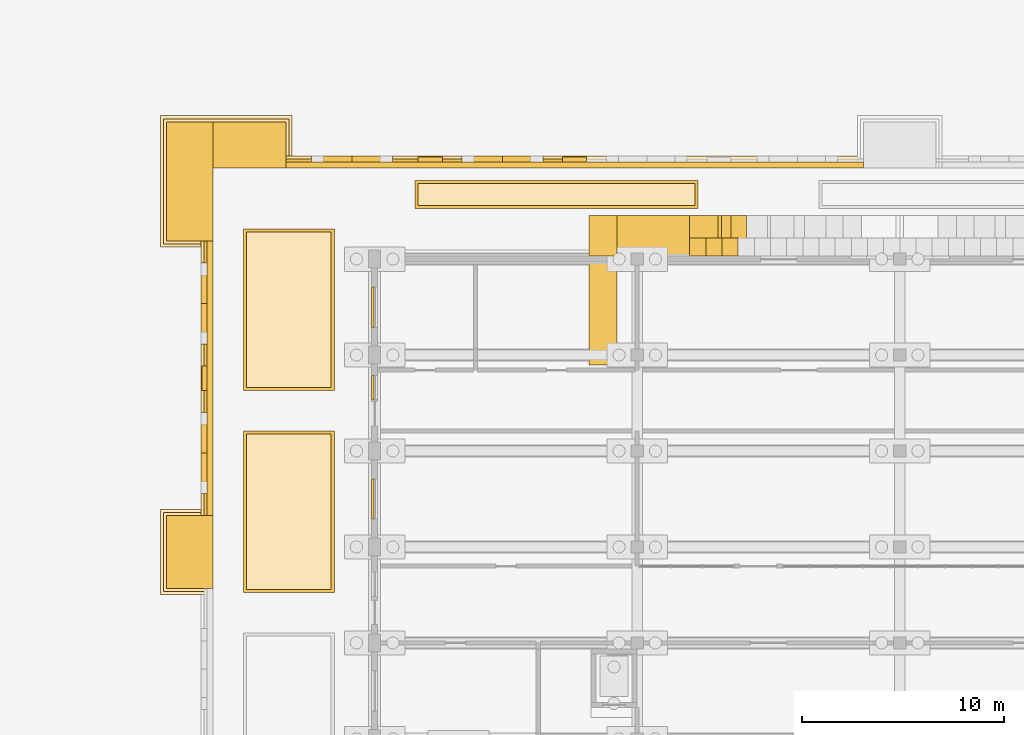
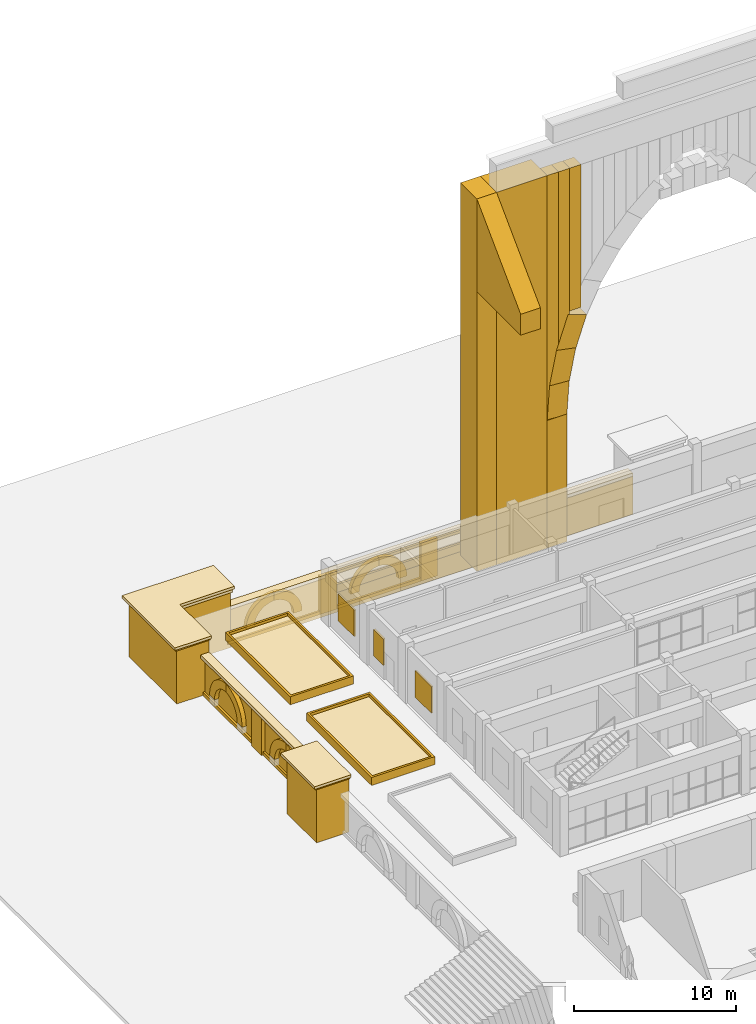
# One storey, part 112 of 161: 42 coverings, 3 shading devices.
"""IFC4 building model written with IfcOpenShell, lengths in metres."""

from ifc_helpers import new_model, si_unit, direction, frame, frame_2d, origin, origin_2d, place, context, subcontext, project, spatial, polyline, rectangle, outline, extrude, material, layer, layer_set, type_object, element, save


model = new_model("IFC4")

# Units and contexts
model_context = context("Model", 3, precision=1e-05, world=origin(), true_north=direction((0.0, 1.0)))
body_context = subcontext(model_context, "Body", "Model", "MODEL_VIEW")
ifc_project = project(units=[si_unit("LENGTHUNIT", "METRE"), si_unit("AREAUNIT", "SQUARE_METRE"), si_unit("VOLUMEUNIT", "CUBIC_METRE"), si_unit("PLANEANGLEUNIT", "RADIAN"), si_unit("MASSUNIT", "GRAM", prefix="KILO")], contexts=[model_context])

# Site, building, storey
site_placement = place(None, origin())
site = spatial("IfcSite", under=ifc_project, at=site_placement, CompositionType="ELEMENT")
building_placement = place(site_placement, origin())
building = spatial("IfcBuilding", under=site, at=building_placement, Name="Elbe Cascade School", CompositionType="ELEMENT")
storey_placement = place(building_placement, origin())
storey = spatial("IfcBuildingStorey", under=building, at=storey_placement, Name="L00", CompositionType="ELEMENT", Elevation=0.0)

# Coverings
ifc_material_1 = material(Name="Sandstone - red", Category="masonry")
ifc_layer_1 = layer(ifc_material_1, 0.199951171875)
ifc_layer_set_1 = layer_set([ifc_layer_1], Name="Sandstone - red")
covering_type_1 = type_object("IfcCoveringType", Name="Bastion coping course 200", PredefinedType="CLADDING", material=ifc_layer_set_1)
covering_1_placement = place(storey_placement, frame((0.0, 0.0, 1.0)))
element("IfcCovering", 1, at=covering_1_placement, inside=storey, type_object=covering_type_1, Name="Bastion coping course 1 NW", PredefinedType="CLADDING", context=body_context, shape_type="SweptSolid", body=[
    extrude(outline(polyline([(0.0, 70.25), (0.0, 74.0), (3.75, 74.0), (3.75, 76.449951171875), (-2.449951171875, 76.449951171875), (-2.449951171875, 70.25), (0.0, 70.25)])), origin(), (0.0, 0.0, 1.0), 0.199951171875),
])
covering_2_placement = place(storey_placement, frame((0.0, 0.0, 1.199951171875)))
element("IfcCovering", 2, at=covering_2_placement, inside=storey, type_object=covering_type_1, Name="Bastion coping course 2 NW", PredefinedType="CLADDING", context=body_context, shape_type="SweptSolid", body=[
    extrude(outline(polyline([(0.0, 70.10009765625), (0.0, 74.0), (3.89990234375, 74.0), (3.89990234375, 76.60009765625), (-2.60009765625, 76.60009765625), (-2.60009765625, 70.10009765625), (0.0, 70.10009765625)])), origin(), (0.0, 0.0, 1.0), 0.199951171875),
])
covering_3_placement = place(storey_placement, frame((0.0, 0.0, 1.0)))
element("IfcCovering", 3, at=covering_3_placement, inside=storey, type_object=covering_type_1, Name="Bastion coping course 1 W2", PredefinedType="CLADDING", context=body_context, shape_type="SweptSolid", body=[
    extrude(outline(polyline([(0.0, 53.050048828125), (0.0, 56.949951171875), (-2.449951171875, 56.949951171875), (-2.449951171875, 53.050048828125), (0.0, 53.050048828125)])), origin(), (0.0, 0.0, 1.0), 0.199951171875),
])
covering_4_placement = place(storey_placement, frame((0.0, 0.0, 1.199951171875)))
element("IfcCovering", 4, at=covering_4_placement, inside=storey, type_object=covering_type_1, Name="Bastion coping course 2 W2", PredefinedType="CLADDING", context=body_context, shape_type="SweptSolid", body=[
    extrude(outline(polyline([(0.0, 52.89990234375), (0.0, 57.10009765625), (-2.60009765625, 57.10009765625), (-2.60009765625, 52.89990234375), (0.0, 52.89990234375)])), origin(), (0.0, 0.0, 1.0), 0.199951171875),
])

# Shading devices
ifc_material_2 = material(Name="Precast concrete - pierced screen C30/37", Category="concrete")
shading_device_type_1 = type_object("IfcShadingDeviceType", Name="Hall jali screen 1200x2000 base window", PredefinedType="USERDEFINED", material=ifc_material_2)
shading_device_placement = place(storey_placement, frame((7.909912109375, 63.14990234375, 1.0), z_axis=(0.0, 0.0, 1.0), x_axis=(1.0, 0.0, 0.0)))
element("IfcShadingDevice", 5, at=shading_device_placement, inside=storey, type_object=shading_device_type_1, Name="Jali screen W5", ObjectType="JALI", PredefinedType="USERDEFINED", context=body_context, shape_type="SweptSolid", body=[
    extrude(rectangle(XDim=0.1201171875, YDim=1.199951171875, at=origin_2d()), origin(), (0.0, 0.0, 1.0), 2.0),
])
ifc_material_3 = material(Name="Precast concrete - pierced screen C30/37", Category="concrete")
shading_device_type_2 = type_object("IfcShadingDeviceType", Name="Hall jali screen 2000x2000 base window", PredefinedType="USERDEFINED", material=ifc_material_3)
for number, where, z_axis, x_axis, name in (
    (6, (7.909912109375, 57.625, 1.0), (0.0, 0.0, 1.0), (1.0, 0.0, 0.0), "Jali screen W4"),
    (7, (7.909912109375, 67.125, 1.0), (0.0, 0.0, 1.0), (1.0, 0.0, 0.0), "Jali screen W6"),
):
    element("IfcShadingDevice", number, at=place(storey_placement, frame(where, z_axis=z_axis, x_axis=x_axis)), inside=storey, type_object=shading_device_type_2, Name=name, ObjectType="JALI", PredefinedType="USERDEFINED", context=body_context, shape_type="SweptSolid", body=[
        extrude(rectangle(XDim=0.1201171875, YDim=2.0, at=origin_2d()), origin(), (0.0, 0.0, 1.0), 2.0),
    ])

# Coverings
ifc_material_4 = material(Name="Sandstone - red, precast facing", Category="masonry")
covering_type_2 = type_object("IfcCoveringType", Name="Hall pishtaq arch band 1400 x 2000", PredefinedType="CLADDING", material=ifc_material_4)
covering_5_placement = place(storey_placement, frame((24.300048828125, 70.64990234375, 9.60009765625), z_axis=(0.065434839137, 0.0, 0.997856844356), x_axis=(0.0, 1.0, 0.0)))
element("IfcCovering", 8, at=covering_5_placement, inside=storey, type_object=covering_type_2, Name="Hall pishtaq arch band 1400 x 2000 CV85", PredefinedType="CLADDING", context=body_context, shape_type="SweptSolid", body=[
    extrude(rectangle(XDim=2.0, YDim=1.39990234375, at=origin_2d()), origin(), (0.0, 0.0, 1.0), 2.49609375),
])
covering_6_placement = place(storey_placement, frame((24.4501953125, 70.64990234375, 11.99169921875), z_axis=(0.195120333973, 0.0, 0.980779310176), x_axis=(0.0, 1.0, 0.0)))
element("IfcCovering", 9, at=covering_6_placement, inside=storey, type_object=covering_type_2, Name="Hall pishtaq arch band 1400 x 2000 CV85", PredefinedType="CLADDING", context=body_context, shape_type="SweptSolid", body=[
    extrude(rectangle(XDim=2.0, YDim=1.39990234375, at=origin_2d()), origin(), (0.0, 0.0, 1.0), 2.546142578125),
])
covering_7_placement = place(storey_placement, frame((24.921142578125, 70.64990234375, 14.392578125), z_axis=(0.321429937708, 0.0, 0.946933363624), x_axis=(0.0, 1.0, 0.0)))
element("IfcCovering", 10, at=covering_7_placement, inside=storey, type_object=covering_type_2, Name="Hall pishtaq arch band 1400 x 2000 CV85", PredefinedType="CLADDING", context=body_context, shape_type="SweptSolid", body=[
    extrude(rectangle(XDim=2.0, YDim=1.39990234375, at=origin_2d()), origin(), (0.0, 0.0, 1.0), 2.5458984375),
])
ifc_material_5 = material(Name="Sandstone - red, precast facing", Category="masonry")
ifc_layer_2 = layer(ifc_material_5, 1.39990234375)
ifc_layer_set_2 = layer_set([ifc_layer_2], Name="Sandstone - red, precast facing")
covering_type_3 = type_object("IfcCoveringType", Name="Hall pishtaq buttress 1400", PredefinedType="CLADDING", material=ifc_layer_set_2)
covering_8_placement = place(storey_placement, frame((19.300048828125, 69.64990234375, 0.0), z_axis=(0.0, 0.0, 1.0), x_axis=(0.0, 1.0, 0.0)))
element("IfcCovering", 11, at=covering_8_placement, inside=storey, type_object=covering_type_3, Name="Hall pishtaq buttress 1400 CV84", PredefinedType="CLADDING", context=body_context, shape_type="SweptSolid", body=[
    extrude(rectangle(XDim=2.0, YDim=1.39990234375, at=frame_2d((1.0, 0.0))), origin(), (0.0, 0.0, 1.0), 28.0),
])
covering_9_placement = place(storey_placement, frame((19.300048828125, 69.64990234375, 21.0283203125), z_axis=(0.0, 0.0, 1.0), x_axis=(0.0, -1.0, 0.0)))
element("IfcCovering", 12, at=covering_9_placement, inside=storey, type_object=covering_type_3, Name="Hall pishtaq buttress 1400 CV84", PredefinedType="CLADDING", context=body_context, shape_type="SweptSolid", body=[
    extrude(outline(polyline([(0.0, 0.0), (5.39990234375, 0.0), (5.39990234375, 1.57177734375), (0.0, 6.9716796875), (0.0, 0.0)])), frame((0.0, 0.699951171875, 0.0), z_axis=(0.0, -1.0, 0.0), x_axis=(1.0, 0.0, 0.0)), (0.0, 0.0, 1.0), 1.39990234375),
])
ifc_material_6 = material(Name="Sandstone - red, precast facing", Category="masonry")
ifc_layer_3 = layer(ifc_material_6, 0.89990234375)
ifc_layer_set_3 = layer_set([ifc_layer_3], Name="Sandstone - red, precast facing")
covering_type_4 = type_object("IfcCoveringType", Name="Hall pishtaq cladding 900", PredefinedType="CLADDING", material=ifc_layer_set_3)
covering_10_placement = place(storey_placement, frame((23.60009765625, 70.10009765625, 9.550048828125), z_axis=(0.0, 0.0, 1.0), x_axis=(1.0, 0.0, 0.0)))
element("IfcCovering", 13, at=covering_10_placement, inside=storey, type_object=covering_type_4, Name="Hall pishtaq cladding 900 CV80", PredefinedType="CLADDING", context=body_context, shape_type="SweptSolid", body=[
    extrude(rectangle(XDim=0.7998046875, YDim=0.89990234375, at=frame_2d((0.39990234375, 0.0))), origin(), (0.0, 0.0, 1.0), 18.449951171875),
])
covering_11_placement = place(storey_placement, frame((24.39990234375, 70.10009765625, 15.063720703125), z_axis=(0.0, 0.0, 1.0), x_axis=(1.0, 0.0, 0.0)))
element("IfcCovering", 14, at=covering_11_placement, inside=storey, type_object=covering_type_4, Name="Hall pishtaq cladding 900 CV80", PredefinedType="CLADDING", context=body_context, shape_type="SweptSolid", body=[
    extrude(rectangle(XDim=0.800048828125, YDim=0.89990234375, at=frame_2d((0.39990234375, 0.0))), origin(), (0.0, 0.0, 1.0), 12.936279296875),
])
covering_12_placement = place(storey_placement, frame((25.199951171875, 70.10009765625, 17.264892578125), z_axis=(0.0, 0.0, 1.0), x_axis=(1.0, 0.0, 0.0)))
element("IfcCovering", 15, at=covering_12_placement, inside=storey, type_object=covering_type_4, Name="Hall pishtaq cladding 900 CV80", PredefinedType="CLADDING", context=body_context, shape_type="SweptSolid", body=[
    extrude(rectangle(XDim=0.800048828125, YDim=0.89990234375, at=frame_2d((0.39990234375, 0.0))), origin(), (0.0, 0.0, 1.0), 10.735107421875),
])
ifc_material_7 = material(Name="Sandstone - red, precast facing", Category="masonry")
ifc_layer_4 = layer(ifc_material_7, 2.0)
ifc_layer_set_4 = layer_set([ifc_layer_4], Name="Sandstone - red, precast facing")
covering_type_5 = type_object("IfcCoveringType", Name="Hall pishtaq pier 2000", PredefinedType="CLADDING", material=ifc_layer_set_4)
covering_13_placement = place(storey_placement, frame((20.0, 70.64990234375, 0.0), z_axis=(0.0, 0.0, 1.0), x_axis=(1.0, 0.0, 0.0)))
element("IfcCovering", 16, at=covering_13_placement, inside=storey, type_object=covering_type_5, Name="Hall pishtaq pier 2000 CV83", PredefinedType="CLADDING", context=body_context, shape_type="SweptSolid", body=[
    extrude(rectangle(XDim=3.60009765625, YDim=2.0, at=frame_2d((1.800048828125, 0.0))), origin(), (0.0, 0.0, 1.0), 28.0),
])
covering_14_placement = place(storey_placement, frame((23.60009765625, 70.64990234375, 0.0), z_axis=(0.0, 0.0, 1.0), x_axis=(1.0, 0.0, 0.0)))
element("IfcCovering", 17, at=covering_14_placement, inside=storey, type_object=covering_type_5, Name="Hall pishtaq pier 2000 CV83", PredefinedType="CLADDING", context=body_context, shape_type="SweptSolid", body=[
    extrude(rectangle(XDim=1.39990234375, YDim=2.0, at=frame_2d((0.699951171875, 0.0))), origin(), (0.0, 0.0, 1.0), 9.60009765625),
])
ifc_material_8 = material(Name="Sandstone - red", Category="masonry")
ifc_layer_5 = layer(ifc_material_8, 0.14990234375)
ifc_layer_set_5 = layer_set([ifc_layer_5], Name="Sandstone - red")
covering_type_6 = type_object("IfcCoveringType", Name="Plinth base course 150x250", PredefinedType="CLADDING", material=ifc_layer_set_5)
covering_15_placement = place(storey_placement, frame((0.0, 0.0, -3.10009765625)))
element("IfcCovering", 18, at=covering_15_placement, inside=storey, type_object=covering_type_6, Name="Plinth base course west 0.4.1", PredefinedType="CLADDING", context=body_context, shape_type="SweptSolid", body=[
    extrude(outline(polyline([(-0.449951171875, 56.800048828125), (-0.300048828125, 56.800048828125), (-0.300048828125, 63.0), (-0.449951171875, 63.0), (-0.449951171875, 56.800048828125)])), origin(), (0.0, 0.0, 1.0), 0.25),
])
covering_16_placement = place(storey_placement, frame((0.0, 0.0, -3.10009765625)))
element("IfcCovering", 19, at=covering_16_placement, inside=storey, type_object=covering_type_6, Name="Plinth base course west 0.4.2", PredefinedType="CLADDING", context=body_context, shape_type="SweptSolid", body=[
    extrude(outline(polyline([(-0.449951171875, 64.199951171875), (-0.300048828125, 64.199951171875), (-0.300048828125, 70.39990234375), (-0.449951171875, 70.39990234375), (-0.449951171875, 64.199951171875)])), origin(), (0.0, 0.0, 1.0), 0.25),
])
covering_17_placement = place(storey_placement, frame((0.0, 0.0, -3.10009765625)))
element("IfcCovering", 20, at=covering_17_placement, inside=storey, type_object=covering_type_6, Name="Plinth base course north 0.1.1", PredefinedType="CLADDING", context=body_context, shape_type="SweptSolid", body=[
    extrude(outline(polyline([(3.60009765625, 74.300048828125), (10.14990234375, 74.300048828125), (10.14990234375, 74.449951171875), (3.60009765625, 74.449951171875), (3.60009765625, 74.300048828125)])), origin(), (0.0, 0.0, 1.0), 0.25),
])
covering_18_placement = place(storey_placement, frame((0.0, 0.0, -3.10009765625)))
element("IfcCovering", 21, at=covering_18_placement, inside=storey, type_object=covering_type_6, Name="Plinth base course north 0.1.2", PredefinedType="CLADDING", context=body_context, shape_type="SweptSolid", body=[
    extrude(outline(polyline([(11.35009765625, 74.300048828125), (17.300048828125, 74.300048828125), (17.300048828125, 74.449951171875), (11.35009765625, 74.449951171875), (11.35009765625, 74.300048828125)])), origin(), (0.0, 0.0, 1.0), 0.25),
])
ifc_material_9 = material(Name="Sandstone - red", Category="masonry")
ifc_layer_6 = layer(ifc_material_9, 2.300048828125)
ifc_layer_set_6 = layer_set([ifc_layer_6], Name="Sandstone - red")
covering_type_7 = type_object("IfcCoveringType", Name="Plinth bastion 3600x2300", PredefinedType="CLADDING", material=ifc_layer_set_6)
covering_19_placement = place(storey_placement, frame((0.0, 0.0, -3.10009765625)))
element("IfcCovering", 22, at=covering_19_placement, inside=storey, type_object=covering_type_7, Name="Plinth bastion NW 1", PredefinedType="CLADDING", context=body_context, shape_type="SweptSolid", body=[
    extrude(outline(polyline([(-2.300048828125, 70.39990234375), (0.0, 70.39990234375), (0.0, 76.300048828125), (-2.300048828125, 76.300048828125), (-2.300048828125, 70.39990234375)])), origin(), (0.0, 0.0, 1.0), 4.10009765625),
])
covering_20_placement = place(storey_placement, frame((0.0, 0.0, -3.10009765625)))
element("IfcCovering", 23, at=covering_20_placement, inside=storey, type_object=covering_type_7, Name="Plinth bastion NW 2", PredefinedType="CLADDING", context=body_context, shape_type="SweptSolid", body=[
    extrude(outline(polyline([(0.0, 74.0), (3.60009765625, 74.0), (3.60009765625, 76.300048828125), (0.0, 76.300048828125), (0.0, 74.0)])), origin(), (0.0, 0.0, 1.0), 4.10009765625),
])
covering_21_placement = place(storey_placement, frame((0.0, 0.0, -3.10009765625)))
element("IfcCovering", 24, at=covering_21_placement, inside=storey, type_object=covering_type_7, Name="Plinth bastion W2 1", PredefinedType="CLADDING", context=body_context, shape_type="SweptSolid", body=[
    extrude(outline(polyline([(-2.300048828125, 53.199951171875), (0.0, 53.199951171875), (0.0, 56.800048828125), (-2.300048828125, 56.800048828125), (-2.300048828125, 53.199951171875)])), origin(), (0.0, 0.0, 1.0), 4.10009765625),
])
ifc_material_10 = material(Name="Sandstone - red", Category="masonry")
ifc_layer_7 = layer(ifc_material_10, 0.25)
ifc_layer_set_7 = layer_set([ifc_layer_7], Name="Sandstone - red")
covering_type_8 = type_object("IfcCoveringType", Name="Plinth coping 600x250", PredefinedType="CLADDING", material=ifc_layer_set_7)
covering_22_placement = place(storey_placement, frame((0.0, 0.0, -0.25)))
element("IfcCovering", 25, at=covering_22_placement, inside=storey, type_object=covering_type_8, Name="Plinth coping west 4", PredefinedType="CLADDING", context=body_context, shape_type="SweptSolid", body=[
    extrude(outline(polyline([(-0.60009765625, 56.800048828125), (0.0, 56.800048828125), (0.0, 70.39990234375), (-0.60009765625, 70.39990234375), (-0.60009765625, 56.800048828125)])), origin(), (0.0, 0.0, 1.0), 0.25),
])
covering_23_placement = place(storey_placement, frame((0.0, 0.0, -0.25)))
element("IfcCovering", 26, at=covering_23_placement, inside=storey, type_object=covering_type_8, Name="Plinth coping north 1", PredefinedType="CLADDING", context=body_context, shape_type="SweptSolid", body=[
    extrude(outline(polyline([(3.60009765625, 74.0), (32.199951171875, 74.0), (32.199951171875, 74.60009765625), (3.60009765625, 74.60009765625), (3.60009765625, 74.0)])), origin(), (0.0, 0.0, 1.0), 0.25),
])
ifc_material_11 = material(Name="Sandstone - red", Category="masonry")
ifc_layer_8 = layer(ifc_material_11, 0.300048828125)
ifc_layer_set_8 = layer_set([ifc_layer_8], Name="Sandstone - red")
covering_type_9 = type_object("IfcCoveringType", Name="Plinth facing 300", PredefinedType="CLADDING", material=ifc_layer_set_8)
covering_24_placement = place(storey_placement, frame((0.0, 0.0, -3.10009765625)))
element("IfcCovering", 27, at=covering_24_placement, inside=storey, type_object=covering_type_9, Name="Plinth facing west 4", PredefinedType="CLADDING", context=body_context, shape_type="SweptSolid", body=[
    extrude(outline(polyline([(-0.300048828125, 56.800048828125), (0.0, 56.800048828125), (0.0, 70.39990234375), (-0.300048828125, 70.39990234375), (-0.300048828125, 56.800048828125)])), origin(), (0.0, 0.0, 1.0), 2.85009765625),
])
covering_25_placement = place(storey_placement, frame((0.0, 0.0, -3.10009765625)))
element("IfcCovering", 28, at=covering_25_placement, inside=storey, type_object=covering_type_9, Name="Plinth facing north 1", PredefinedType="CLADDING", context=body_context, shape_type="SweptSolid", body=[
    extrude(outline(polyline([(3.60009765625, 74.0), (32.199951171875, 74.0), (32.199951171875, 74.300048828125), (3.60009765625, 74.300048828125), (3.60009765625, 74.0)])), origin(), (0.0, 0.0, 1.0), 2.85009765625),
])
ifc_material_12 = material(Name="Sandstone - red", Category="masonry")
ifc_layer_9 = layer(ifc_material_12, 0.300048828125)
ifc_layer_set_9 = layer_set([ifc_layer_9], Name="Sandstone - red")
covering_type_10 = type_object("IfcCoveringType", Name="Plinth niche arch band 600x300", PredefinedType="CLADDING", material=ifc_layer_set_9)
covering_26_placement = place(storey_placement, frame((-0.60009765625, 61.89990234375, -2.35009765625), z_axis=(-1.0, 0.0, 0.0), x_axis=(0.0, -1.0, 0.0)))
element("IfcCovering", 29, at=covering_26_placement, inside=storey, type_object=covering_type_10, Name="Plinth niche arch band west 0.4.1a", PredefinedType="CLADDING", context=body_context, shape_type="SweptSolid", body=[
    extrude(outline(polyline([(0.0, 0.0), (0.599853515625, 0.0), (0.616943359375, 0.221923828125), (0.667724609375, 0.438720703125), (0.751220703125, 0.64501953125), (0.864990234375, 0.83642578125), (1.007080078125, 1.0078125), (1.173583984375, 1.15576171875), (1.360595703125, 1.2763671875), (1.56396484375, 1.366943359375), (1.77880859375, 1.42529296875), (2.0, 1.4501953125), (2.0, 2.05029296875), (1.684814453125, 2.01806640625), (1.37841796875, 1.9375), (1.088134765625, 1.81103515625), (0.82080078125, 1.64111328125), (0.582763671875, 1.43212890625), (0.379638671875, 1.189208984375), (0.216552734375, 0.91748046875), (0.09716796875, 0.624267578125), (0.0244140625, 0.31591796875), (0.0, 0.0)])), origin(), (0.0, 0.0, -1.0), 0.300048828125),
])
covering_27_placement = place(storey_placement, frame((-0.60009765625, 57.924560546875, -2.0341796875), z_axis=(-1.0, 0.0, 0.0), x_axis=(0.0, 0.229640615433, 0.973275494268)))
element("IfcCovering", 30, at=covering_27_placement, inside=storey, type_object=covering_type_10, Name="Plinth niche arch band west 0.4.1b", PredefinedType="CLADDING", context=body_context, shape_type="SweptSolid", body=[
    extrude(outline(polyline([(0.0, 0.0), (0.31681637027835047, 0.0), (0.6296088823787412, 0.04886067811575373), (0.9315267427864806, 0.14518832098545423), (1.2146004998268738, 0.2871006253983999), (1.4726067943887962, 0.47054739410121904), (1.699434396567878, 0.6919536620154754), (1.8891803432917578, 0.9454377254653902), (2.037954729394572, 1.2251445961231031), (2.1416433912969475, 1.5242688213108815), (1.5575830483008861, 1.66207561641209), (1.4825516767193998, 1.4525140307106628), (1.3764806454459984, 1.2570489300335477), (1.2416232623821883, 1.0799146970257483), (1.0812393643827247, 0.9253590720062276), (0.899007955873922, 0.7972800499997257), (0.6996279279093016, 0.6985824547516934), (0.4872108101606949, 0.6318080070394001), (0.26725112189532263, 0.5979178949791348), (0.04458659872137888, 0.5982791165847868), (-0.17533094702333402, 0.6326087149319284), (-0.3131377421245425, 0.04854837193586718), (0.0, 0.0)])), origin(), (0.0, 0.0, -1.0), 0.300048828125),
])
covering_28_placement = place(storey_placement, frame((-0.60009765625, 69.300048828125, -2.35009765625), z_axis=(-1.0, 0.0, 0.0), x_axis=(0.0, -1.0, 0.0)))
element("IfcCovering", 31, at=covering_28_placement, inside=storey, type_object=covering_type_10, Name="Plinth niche arch band west 0.4.2a", PredefinedType="CLADDING", context=body_context, shape_type="SweptSolid", body=[
    extrude(outline(polyline([(0.0, 0.0), (0.60009765625, 0.0), (0.6171875, 0.221923828125), (0.66796875, 0.438720703125), (0.75146484375, 0.64501953125), (0.865234375, 0.83642578125), (1.007080078125, 1.0078125), (1.173583984375, 1.15576171875), (1.36083984375, 1.2763671875), (1.56396484375, 1.366943359375), (1.77880859375, 1.42529296875), (2.0, 1.4501953125), (2.0, 2.05029296875), (1.68505859375, 2.01806640625), (1.378662109375, 1.9375), (1.088134765625, 1.81103515625), (0.82080078125, 1.64111328125), (0.582763671875, 1.43212890625), (0.3798828125, 1.189208984375), (0.216796875, 0.91748046875), (0.097412109375, 0.624267578125), (0.024658203125, 0.31591796875), (0.0, 0.0)])), origin(), (0.0, 0.0, -1.0), 0.300048828125),
])
covering_29_placement = place(storey_placement, frame((-0.60009765625, 65.324462890625, -2.0341796875), z_axis=(-1.0, 0.0, 0.0), x_axis=(0.0, 0.229640615433, 0.973275494268)))
element("IfcCovering", 32, at=covering_29_placement, inside=storey, type_object=covering_type_10, Name="Plinth niche arch band west 0.4.2b", PredefinedType="CLADDING", context=body_context, shape_type="SweptSolid", body=[
    extrude(outline(polyline([(0.0, 0.0), (0.31681637027835047, 0.0), (0.6296088823787412, 0.04886067811575373), (0.9315267427864806, 0.14518832098545423), (1.2146004998268738, 0.2871006253983999), (1.4726628589921735, 0.4707850101886869), (1.699434396567878, 0.6919536620154754), (1.8891803432917578, 0.9454377254653902), (2.037954729394572, 1.2251445961231031), (2.1416994559003246, 1.5245064373983495), (1.5576391129042635, 1.662313232499558), (1.4826077413227772, 1.4527516467981305), (1.3764806454459984, 1.2570489300335477), (1.2416232623821883, 1.0799146970257483), (1.081295428986102, 0.9255966880936953), (0.8990640204772993, 0.7975176660871937), (0.6996839925126788, 0.6988200708391613), (0.4872108101606949, 0.6318080070394001), (0.2673071864986999, 0.5981555110666027), (0.04458659872137888, 0.5982791165847868), (-0.17533094702333402, 0.6326087149319284), (-0.3130816775211652, 0.04878598802333507), (0.0, 0.0)])), origin(), (0.0, 0.0, -1.0), 0.300048828125),
])
covering_30_placement = place(storey_placement, frame((8.875, 74.60009765625, -2.35009765625), z_axis=(0.0, 1.0, 0.0), x_axis=(-1.0, 0.0, 0.0)))
element("IfcCovering", 33, at=covering_30_placement, inside=storey, type_object=covering_type_10, Name="Plinth niche arch band north 0.1.1a", PredefinedType="CLADDING", context=body_context, shape_type="SweptSolid", body=[
    extrude(outline(polyline([(0.0, 0.0), (0.60009765625, 0.0), (0.6171875, 0.221923828125), (0.66796875, 0.438720703125), (0.751220703125, 0.64501953125), (0.865234375, 0.83642578125), (1.007080078125, 1.0078125), (1.173583984375, 1.15576171875), (1.360595703125, 1.2763671875), (1.56396484375, 1.366943359375), (1.77880859375, 1.42529296875), (2.0, 1.4501953125), (2.0, 2.05029296875), (1.684814453125, 2.01806640625), (1.37841796875, 1.9375), (1.088134765625, 1.81103515625), (0.82080078125, 1.64111328125), (0.582763671875, 1.43212890625), (0.3798828125, 1.189208984375), (0.216796875, 0.91748046875), (0.097412109375, 0.624267578125), (0.0244140625, 0.31591796875), (0.0, 0.0)])), origin(), (0.0, 0.0, -1.0), 0.300048828125),
])
covering_31_placement = place(storey_placement, frame((4.8994140625, 74.60009765625, -2.0341796875), z_axis=(0.0, 1.0, 0.0), x_axis=(0.230370389833, 0.0, 0.973103017922)))
element("IfcCovering", 34, at=covering_31_placement, inside=storey, type_object=covering_type_10, Name="Plinth niche arch band north 0.1.1b", PredefinedType="CLADDING", context=body_context, shape_type="SweptSolid", body=[
    extrude(outline(polyline([(0.0, 0.0), (0.31687252397341076, 0.0), (0.6297015877312577, 0.04862610780633542), (0.9316915973394285, 0.14472732169500946), (1.2148154490930958, 0.2861897411309222), (1.473015476785429, 0.46968055870342257), (1.6999528003548228, 0.6906790971069348), (1.8898887761347143, 0.9440208027650488), (2.038872866748509, 1.2236160319757423), (2.1428420492777027, 1.522899993079024), (1.558885208933074, 1.6611447240869763), (1.4836967125911875, 1.4516394617641843), (1.37742289317322, 1.2560163825158634), (1.2424327187641548, 1.0789833260459185), (1.0819892105939604, 0.9247855869954477), (0.8996618095377079, 0.7968432525266855), (0.7002078263653932, 0.6982951959470896), (0.4876844528052212, 0.6314424801900893), (0.2677556556673356, 0.5979548948134422), (0.04509146597014914, 0.5984830877928479), (-0.17480027489389646, 0.6329775880622152), (-0.3130450059018489, 0.0490207477175865), (0.0, 0.0)])), origin(), (0.0, 0.0, -1.0), 0.300048828125),
])
covering_32_placement = place(storey_placement, frame((16.324951171875, 74.60009765625, -2.35009765625), z_axis=(0.0, 1.0, 0.0), x_axis=(-1.0, 0.0, 0.0)))
element("IfcCovering", 35, at=covering_32_placement, inside=storey, type_object=covering_type_10, Name="Plinth niche arch band north 0.1.2a", PredefinedType="CLADDING", context=body_context, shape_type="SweptSolid", body=[
    extrude(outline(polyline([(0.0, 0.0), (0.599853515625, 0.0), (0.616943359375, 0.221923828125), (0.66796875, 0.438720703125), (0.751220703125, 0.64501953125), (0.865234375, 0.83642578125), (1.007080078125, 1.0078125), (1.173583984375, 1.15576171875), (1.360595703125, 1.2763671875), (1.56396484375, 1.366943359375), (1.77880859375, 1.42529296875), (2.0, 1.4501953125), (2.0, 2.05029296875), (1.684814453125, 2.01806640625), (1.37841796875, 1.9375), (1.088134765625, 1.81103515625), (0.82080078125, 1.64111328125), (0.582763671875, 1.43212890625), (0.379638671875, 1.189208984375), (0.216552734375, 0.91748046875), (0.09716796875, 0.624267578125), (0.0244140625, 0.31591796875), (0.0, 0.0)])), origin(), (0.0, 0.0, -1.0), 0.300048828125),
])
covering_33_placement = place(storey_placement, frame((12.349609375, 74.60009765625, -2.0341796875), z_axis=(0.0, 1.0, 0.0), x_axis=(0.229640615433, 0.0, 0.973275494268)))
element("IfcCovering", 36, at=covering_33_placement, inside=storey, type_object=covering_type_10, Name="Plinth niche arch band north 0.1.2b", PredefinedType="CLADDING", context=body_context, shape_type="SweptSolid", body=[
    extrude(outline(polyline([(0.0, 0.0), (0.31681637027835047, 0.0), (0.6296088823787412, 0.04886067811575373), (0.9315267427864806, 0.14518832098545423), (1.2145444352234966, 0.28686300931093206), (1.4726067943887962, 0.47054739410121904), (1.6993783319645008, 0.6917160459280074), (1.8891803432917578, 0.9454377254653902), (2.037954729394572, 1.2251445961231031), (2.1416433912969475, 1.5242688213108815), (1.5575830483008861, 1.66207561641209), (1.4825516767193998, 1.4525140307106628), (1.3764245808426212, 1.2568113139460797), (1.2416232623821883, 1.0799146970257483), (1.0812393643827247, 0.9253590720062276), (0.899007955873922, 0.7972800499997257), (0.6996279279093016, 0.6985824547516934), (0.4872108101606949, 0.6318080070394001), (0.26725112189532263, 0.5979178949791348), (0.04458659872137888, 0.5982791165847868), (-0.17533094702333402, 0.6326087149319284), (-0.3131377421245425, 0.04854837193586718), (0.0, 0.0)])), origin(), (0.0, 0.0, -1.0), 0.300048828125),
])
ifc_material_13 = material(Name="Sandstone - red", Category="masonry")
ifc_layer_10 = layer(ifc_material_13, 0.25)
ifc_layer_set_10 = layer_set([ifc_layer_10], Name="Sandstone - red")
covering_type_11 = type_object("IfcCoveringType", Name="Plinth pilaster 1200x250", PredefinedType="CLADDING", material=ifc_layer_set_10)
covering_34_placement = place(storey_placement, frame((0.0, 0.0, -3.10009765625)))
element("IfcCovering", 37, at=covering_34_placement, inside=storey, type_object=covering_type_11, Name="Plinth pilaster west 0.4.1", PredefinedType="CLADDING", context=body_context, shape_type="SweptSolid", body=[
    extrude(outline(polyline([(-0.550048828125, 63.0), (-0.300048828125, 63.0), (-0.300048828125, 64.199951171875), (-0.550048828125, 64.199951171875), (-0.550048828125, 63.0)])), origin(), (0.0, 0.0, 1.0), 2.85009765625),
])
covering_35_placement = place(storey_placement, frame((0.0, 0.0, -3.10009765625)))
element("IfcCovering", 38, at=covering_35_placement, inside=storey, type_object=covering_type_11, Name="Plinth pilaster north 0.1.1", PredefinedType="CLADDING", context=body_context, shape_type="SweptSolid", body=[
    extrude(outline(polyline([(10.14990234375, 74.300048828125), (11.35009765625, 74.300048828125), (11.35009765625, 74.550048828125), (10.14990234375, 74.550048828125), (10.14990234375, 74.300048828125)])), origin(), (0.0, 0.0, 1.0), 2.85009765625),
])
covering_36_placement = place(storey_placement, frame((0.0, 0.0, -3.10009765625)))
element("IfcCovering", 39, at=covering_36_placement, inside=storey, type_object=covering_type_11, Name="Plinth pilaster north 0.1.2", PredefinedType="CLADDING", context=body_context, shape_type="SweptSolid", body=[
    extrude(outline(polyline([(17.300048828125, 74.300048828125), (18.5, 74.300048828125), (18.5, 74.550048828125), (17.300048828125, 74.550048828125), (17.300048828125, 74.300048828125)])), origin(), (0.0, 0.0, 1.0), 2.85009765625),
])
ifc_material_14 = material(Name="Planting - soil and shrubs", Category="soil")
ifc_layer_11 = layer(ifc_material_14, 0.39990234375)
ifc_layer_set_11 = layer_set([ifc_layer_11], Name="Planting - soil and shrubs")
covering_type_12 = type_object("IfcCoveringType", Name="Site planting bed 400", PredefinedType="USERDEFINED", material=ifc_layer_set_11)
covering_37_placement = place(storey_placement, origin())
element("IfcCovering", 40, at=covering_37_placement, inside=storey, type_object=covering_type_12, Name="North strip planting bed 1", ObjectType="PLANTING BED", PredefinedType="USERDEFINED", context=body_context, shape_type="SweptSolid", body=[
    extrude(outline(polyline([(10.14990234375, 72.14990234375), (23.85009765625, 72.14990234375), (23.85009765625, 73.25), (10.14990234375, 73.25), (10.14990234375, 72.14990234375)])), origin(), (0.0, 0.0, 1.0), 0.39990234375),
])
covering_38_placement = place(storey_placement, origin())
element("IfcCovering", 41, at=covering_38_placement, inside=storey, type_object=covering_type_12, Name="Deck planting bed west b.2", ObjectType="PLANTING BED", PredefinedType="USERDEFINED", context=body_context, shape_type="SweptSolid", body=[
    extrude(outline(polyline([(1.64990234375, 53.14990234375), (5.85009765625, 53.14990234375), (5.85009765625, 60.85009765625), (1.64990234375, 60.85009765625), (1.64990234375, 53.14990234375)])), origin(), (0.0, 0.0, 1.0), 0.39990234375),
])
covering_39_placement = place(storey_placement, origin())
element("IfcCovering", 42, at=covering_39_placement, inside=storey, type_object=covering_type_12, Name="Deck planting bed west b.3", ObjectType="PLANTING BED", PredefinedType="USERDEFINED", context=body_context, shape_type="SweptSolid", body=[
    extrude(outline(polyline([(1.64990234375, 63.14990234375), (5.85009765625, 63.14990234375), (5.85009765625, 70.85009765625), (1.64990234375, 70.85009765625), (1.64990234375, 63.14990234375)])), origin(), (0.0, 0.0, 1.0), 0.39990234375),
])
ifc_material_15 = material(Name="Concrete C30/37 precast kerb", Category="concrete")
ifc_layer_12 = layer(ifc_material_15, 0.14990234375)
ifc_layer_set_12 = layer_set([ifc_layer_12], Name="Concrete C30/37 precast kerb")
covering_type_13 = type_object("IfcCoveringType", Name="Site planting bed kerb 150x600", PredefinedType="CLADDING", material=ifc_layer_set_12)
covering_40_placement = place(storey_placement, origin())
element("IfcCovering", 43, at=covering_40_placement, inside=storey, type_object=covering_type_13, Name="North strip planting bed kerb 1", PredefinedType="CLADDING", context=body_context, shape_type="SweptSolid", body=[
    extrude(outline(polyline([(10.0, 72.0), (24.0, 72.0), (24.0, 73.39990234375), (10.0, 73.39990234375), (10.0, 72.0)]), holes=[polyline([(10.14990234375, 72.14990234375), (23.85009765625, 72.14990234375), (23.85009765625, 73.25), (10.14990234375, 73.25), (10.14990234375, 72.14990234375)])]), origin(), (0.0, 0.0, 1.0), 0.60009765625),
])
covering_41_placement = place(storey_placement, origin())
element("IfcCovering", 44, at=covering_41_placement, inside=storey, type_object=covering_type_13, Name="Deck planting bed kerb west b.2", PredefinedType="CLADDING", context=body_context, shape_type="SweptSolid", body=[
    extrude(outline(polyline([(1.5, 53.0), (6.0, 53.0), (6.0, 61.0), (1.5, 61.0), (1.5, 53.0)]), holes=[polyline([(1.64990234375, 53.14990234375), (5.85009765625, 53.14990234375), (5.85009765625, 60.85009765625), (1.64990234375, 60.85009765625), (1.64990234375, 53.14990234375)])]), origin(), (0.0, 0.0, 1.0), 0.60009765625),
])
covering_42_placement = place(storey_placement, origin())
element("IfcCovering", 45, at=covering_42_placement, inside=storey, type_object=covering_type_13, Name="Deck planting bed kerb west b.3", PredefinedType="CLADDING", context=body_context, shape_type="SweptSolid", body=[
    extrude(outline(polyline([(1.5, 63.0), (6.0, 63.0), (6.0, 71.0), (1.5, 71.0), (1.5, 63.0)]), holes=[polyline([(1.64990234375, 63.14990234375), (5.85009765625, 63.14990234375), (5.85009765625, 70.85009765625), (1.64990234375, 70.85009765625), (1.64990234375, 63.14990234375)])]), origin(), (0.0, 0.0, 1.0), 0.60009765625),
])

save(model, "model.ifc")
